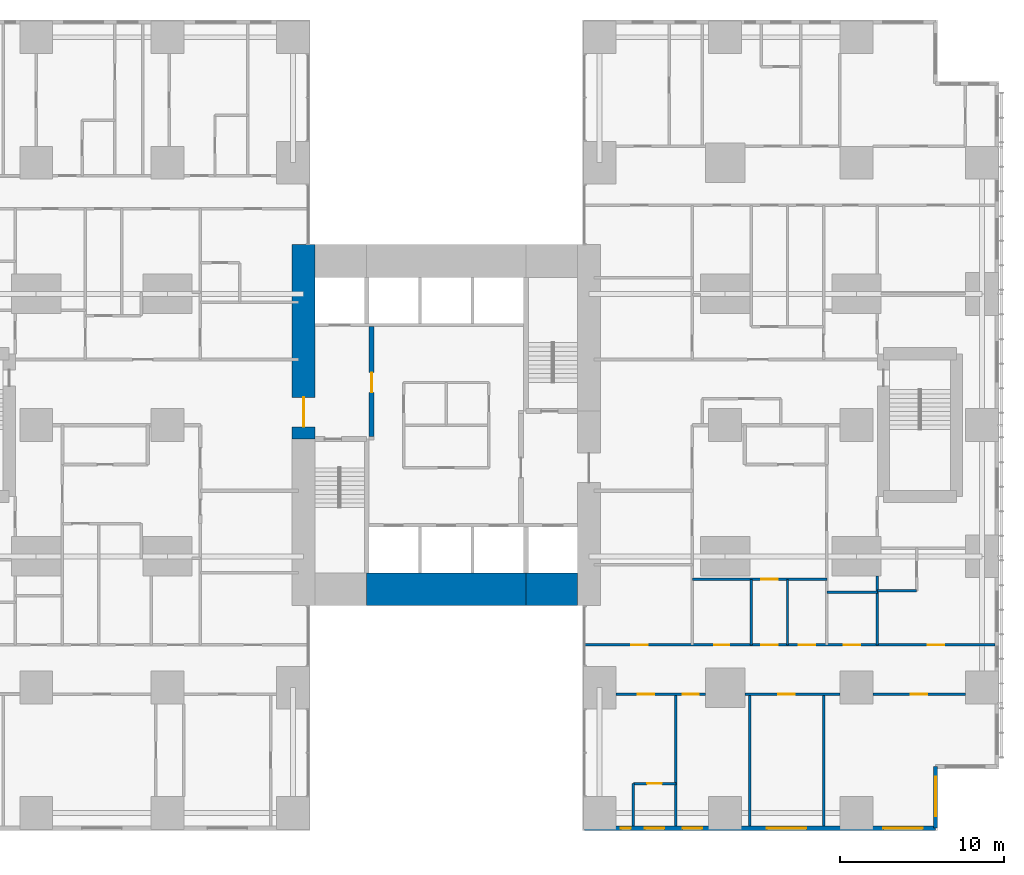
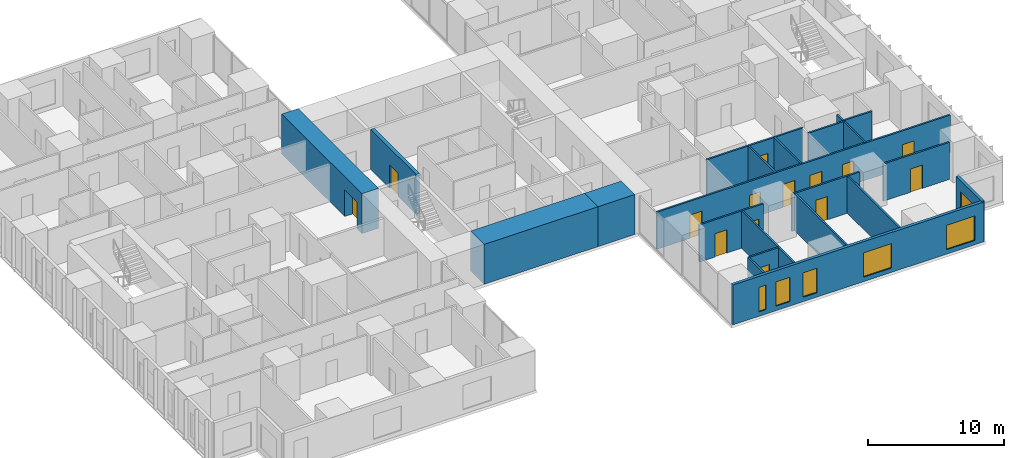
# One storey, part 14 of 20: 21 walls, 14 doors, 6 windows, 20 openings.
"""IFC4 building model written with IfcOpenShell, lengths in metres."""

from ifc_helpers import new_model, si_unit, direction, frame, frame_2d, origin, place, context, subcontext, project, spatial, rectangle, extrude, material, layer, layer_set, type_object, element, fill, save


model = new_model("IFC4")

# Units and contexts
model_context = context("Model", 3, precision=1e-05, world=origin(), true_north=direction((0.0, 1.0)))
body_context = subcontext(model_context, "Body", "Model", "MODEL_VIEW")
ifc_project = project(units=[si_unit("LENGTHUNIT", "METRE"), si_unit("AREAUNIT", "SQUARE_METRE"), si_unit("VOLUMEUNIT", "CUBIC_METRE"), si_unit("PLANEANGLEUNIT", "RADIAN"), si_unit("MASSUNIT", "GRAM", prefix="KILO")], contexts=[model_context])

# Site, building, storey
site_placement = place(None, origin())
site = spatial("IfcSite", under=ifc_project, at=site_placement, CompositionType="ELEMENT")
building_placement = place(site_placement, origin())
building = spatial("IfcBuilding", under=site, at=building_placement, Name="Cleftline Residences", CompositionType="ELEMENT")
storey_placement = place(building_placement, frame((0.0, 0.0, 107.0)))
storey = spatial("IfcBuildingStorey", under=building, at=storey_placement, Name="L27", CompositionType="ELEMENT", Elevation=107.0)

# Wall, opening, door
ifc_material_1 = material(Name="Concrete B70", Category="concrete")
ifc_layer_1 = layer(ifc_material_1, 1.39990234375)
ifc_layer_set_1 = layer_set([ifc_layer_1], Name="CORE WALL 1400")
wall_type_1 = type_object("IfcWallType", Name="CORE WALL 1400", PredefinedType="SHEAR", material=ifc_layer_set_1)
wall_1_placement = place(storey_placement, frame((24.300048828125, 23.14990234375, 0.0), z_axis=(0.0, 0.0, 1.0), x_axis=(0.0, 1.0, 0.0)))
wall_1 = element("IfcWall", 1, at=wall_1_placement, inside=storey, type_object=wall_type_1, Name="Core wall W", PredefinedType="SHEAR", context=body_context, shape_type="SweptSolid", body=[
    extrude(rectangle(XDim=11.85009765625, YDim=1.39990234375, at=frame_2d((5.925048828125, 0.0))), origin(), (0.0, 0.0, 1.0), 3.60009765625),
])
opening_1_placement = place(wall_1_placement, frame((0.75, 0.0, 0.0)))
opening_1 = element("IfcOpeningElement", 2, at=opening_1_placement, cuts=wall_1, Name="Opening D7", PredefinedType="OPENING", context=body_context, shape_type="SweptSolid", body=[
    extrude(rectangle(XDim=1.800048828125, YDim=2.39990234375, at=frame_2d((0.89990234375, 1.199951171875))), frame((0.0, 0.7099609375, 0.0), z_axis=(0.0, -1.0, 0.0), x_axis=(1.0, 0.0, 0.0)), (0.0, 0.0, 1.0), 1.419921875),
])
ifc_material_2 = material(Name="Steel", Category="steel")
door_type_1 = type_object("IfcDoorType", Name="WING DOOR 1800X2400", OperationType="DOUBLE_DOOR_DOUBLE_SWING", PredefinedType="DOOR", material=ifc_material_2)
door_1_placement = place(opening_1_placement, origin())
door_1 = element("IfcDoor", 3, at=door_1_placement, inside=storey, type_object=door_type_1, Name="West wing door", OperationType="DOUBLE_DOOR_DOUBLE_SWING", OverallHeight=2.39990234375, OverallWidth=1.800048828125, PredefinedType="DOOR", context=body_context, shape_type="SweptSolid", body=[
    extrude(rectangle(XDim=1.800048828125, YDim=2.39990234375, at=frame_2d((0.89990234375, 1.199951171875))), frame((0.0, 0.02490234375, 0.0), z_axis=(0.0, -1.0, 0.0), x_axis=(1.0, 0.0, 0.0)), (0.0, 0.0, 1.0), 0.050048828125),
])
fill(opening_1, door_1)

# Walls
ifc_material_3 = material(Name="Concrete B70", Category="concrete")
ifc_layer_2 = layer(ifc_material_3, 2.0)
ifc_layer_set_2 = layer_set([ifc_layer_2], Name="CORE WALL 2000")
wall_type_2 = type_object("IfcWallType", Name="CORE WALL 2000", PredefinedType="SHEAR", material=ifc_layer_set_2)
wall_2_placement = place(storey_placement, frame((28.14990234375, 14.0, 0.0), z_axis=(0.0, 0.0, 1.0), x_axis=(1.0, 0.0, 0.0)))
element("IfcWall", 4, at=wall_2_placement, inside=storey, type_object=wall_type_2, Name="Core wall S2", PredefinedType="SHEAR", context=body_context, shape_type="SweptSolid", body=[
    extrude(rectangle(XDim=9.7001953125, YDim=2.0, at=frame_2d((4.85009765625, 0.0))), origin(), (0.0, 0.0, 1.0), 3.60009765625),
])
wall_3_placement = place(storey_placement, frame((37.85009765625, 14.0, 0.0), z_axis=(0.0, 0.0, 1.0), x_axis=(1.0, 0.0, 0.0)))
element("IfcWall", 5, at=wall_3_placement, inside=storey, type_object=wall_type_2, Name="Core wall S3", PredefinedType="SHEAR", context=body_context, shape_type="SweptSolid", body=[
    extrude(rectangle(XDim=3.14990234375, YDim=2.0, at=frame_2d((1.574951171875, 0.0))), origin(), (0.0, 0.0, 1.0), 3.60009765625),
])

# Wall, openings, windows
ifc_material_4 = material(Name="Rendered reinforced concrete blockwork", Category="masonry")
ifc_layer_3 = layer(ifc_material_4, 0.25)
ifc_layer_set_3 = layer_set([ifc_layer_3], Name="EXTERNAL WALL 250")
wall_type_3 = type_object("IfcWallType", Name="EXTERNAL WALL 250", PredefinedType="SOLIDWALL", material=ifc_layer_set_3)
wall_4_placement = place(storey_placement, frame((41.425048828125, -0.574951171875, 0.0), z_axis=(0.0, 0.0, 1.0), x_axis=(1.0, 0.0, 0.0)))
wall_4 = element("IfcWall", 6, at=wall_4_placement, inside=storey, type_object=wall_type_3, Name="External wall", PredefinedType="SOLIDWALL", context=body_context, shape_type="SweptSolid", body=[
    extrude(rectangle(XDim=21.39990234375, YDim=0.25, at=frame_2d((10.699951171875, 0.0))), origin(), (0.0, 0.0, 1.0), 3.60009765625),
])
opening_2_placement = place(wall_4_placement, frame((2.22509765625, 0.0, 0.39990234375)))
opening_2 = element("IfcOpeningElement", 7, at=opening_2_placement, cuts=wall_4, Name="Opening W10", PredefinedType="OPENING", context=body_context, shape_type="SweptSolid", body=[
    extrude(rectangle(XDim=0.60009765625, YDim=2.199951171875, at=frame_2d((0.300048828125, 1.10009765625))), frame((0.0, 0.135009765625, 0.0), z_axis=(0.0, -1.0, 0.0), x_axis=(1.0, 0.0, 0.0)), (0.0, 0.0, 1.0), 0.27001953125),
])
opening_3_placement = place(wall_4_placement, frame((3.675048828125, 0.0, 0.39990234375)))
opening_3 = element("IfcOpeningElement", 8, at=opening_3_placement, cuts=wall_4, Name="Opening W11", PredefinedType="OPENING", context=body_context, shape_type="SweptSolid", body=[
    extrude(rectangle(XDim=1.199951171875, YDim=2.199951171875, at=frame_2d((0.60009765625, 1.10009765625))), frame((0.0, 0.135009765625, 0.0), z_axis=(0.0, -1.0, 0.0), x_axis=(1.0, 0.0, 0.0)), (0.0, 0.0, 1.0), 0.27001953125),
])
opening_4_placement = place(wall_4_placement, frame((5.97509765625, 0.0, 0.39990234375)))
opening_4 = element("IfcOpeningElement", 9, at=opening_4_placement, cuts=wall_4, Name="Opening W11", PredefinedType="OPENING", context=body_context, shape_type="SweptSolid", body=[
    extrude(rectangle(XDim=1.199951171875, YDim=2.199951171875, at=frame_2d((0.60009765625, 1.10009765625))), frame((0.0, 0.135009765625, 0.0), z_axis=(0.0, -1.0, 0.0), x_axis=(1.0, 0.0, 0.0)), (0.0, 0.0, 1.0), 0.27001953125),
])
opening_5_placement = place(wall_4_placement, frame((11.125, 0.0, 0.39990234375)))
opening_5 = element("IfcOpeningElement", 10, at=opening_5_placement, cuts=wall_4, Name="Opening W12", PredefinedType="OPENING", context=body_context, shape_type="SweptSolid", body=[
    extrude(rectangle(XDim=2.39990234375, YDim=2.199951171875, at=frame_2d((1.199951171875, 1.10009765625))), frame((0.0, 0.135009765625, 0.0), z_axis=(0.0, -1.0, 0.0), x_axis=(1.0, 0.0, 0.0)), (0.0, 0.0, 1.0), 0.27001953125),
])
opening_6_placement = place(wall_4_placement, frame((18.22509765625, 0.0, 0.39990234375)))
opening_6 = element("IfcOpeningElement", 11, at=opening_6_placement, cuts=wall_4, Name="Opening W12", PredefinedType="OPENING", context=body_context, shape_type="SweptSolid", body=[
    extrude(rectangle(XDim=2.39990234375, YDim=2.199951171875, at=frame_2d((1.199951171875, 1.10009765625))), frame((0.0, 0.135009765625, 0.0), z_axis=(0.0, -1.0, 0.0), x_axis=(1.0, 0.0, 0.0)), (0.0, 0.0, 1.0), 0.27001953125),
])
ifc_material_5 = material(Name="Aluminium frame, clear double glazing", Category="aluminium")
window_type_1 = type_object("IfcWindowType", Name="WINDOW 1200X2200", PartitioningType="DOUBLE_PANEL_VERTICAL", PredefinedType="WINDOW", material=ifc_material_5)
window_1_placement = place(opening_3_placement, origin())
window_1 = element("IfcWindow", 12, at=window_1_placement, inside=storey, type_object=window_type_1, Name="Window", OverallHeight=2.199951171875, OverallWidth=1.199951171875, PartitioningType="SINGLE_PANEL", PredefinedType="WINDOW", context=body_context, shape_type="SweptSolid", body=[
    extrude(rectangle(XDim=1.199951171875, YDim=2.199951171875, at=frame_2d((0.60009765625, 1.10009765625))), frame((0.0, 0.030029296875, 0.0), z_axis=(0.0, -1.0, 0.0), x_axis=(1.0, 0.0, 0.0)), (0.0, 0.0, 1.0), 0.06005859375),
])
fill(opening_3, window_1)
window_2_placement = place(opening_4_placement, origin())
window_2 = element("IfcWindow", 13, at=window_2_placement, inside=storey, type_object=window_type_1, Name="Window", OverallHeight=2.199951171875, OverallWidth=1.199951171875, PartitioningType="SINGLE_PANEL", PredefinedType="WINDOW", context=body_context, shape_type="SweptSolid", body=[
    extrude(rectangle(XDim=1.199951171875, YDim=2.199951171875, at=frame_2d((0.60009765625, 1.10009765625))), frame((0.0, 0.030029296875, 0.0), z_axis=(0.0, -1.0, 0.0), x_axis=(1.0, 0.0, 0.0)), (0.0, 0.0, 1.0), 0.06005859375),
])
fill(opening_4, window_2)
ifc_material_6 = material(Name="Aluminium frame, clear double glazing", Category="aluminium")
window_type_2 = type_object("IfcWindowType", Name="WINDOW 2400X2200", PartitioningType="DOUBLE_PANEL_VERTICAL", PredefinedType="WINDOW", material=ifc_material_6)
window_3_placement = place(opening_5_placement, origin())
window_3 = element("IfcWindow", 14, at=window_3_placement, inside=storey, type_object=window_type_2, Name="Window", OverallHeight=2.199951171875, OverallWidth=2.39990234375, PartitioningType="SINGLE_PANEL", PredefinedType="WINDOW", context=body_context, shape_type="SweptSolid", body=[
    extrude(rectangle(XDim=2.39990234375, YDim=2.199951171875, at=frame_2d((1.199951171875, 1.10009765625))), frame((0.0, 0.030029296875, 0.0), z_axis=(0.0, -1.0, 0.0), x_axis=(1.0, 0.0, 0.0)), (0.0, 0.0, 1.0), 0.06005859375),
])
fill(opening_5, window_3)
window_4_placement = place(opening_6_placement, origin())
window_4 = element("IfcWindow", 15, at=window_4_placement, inside=storey, type_object=window_type_2, Name="Window", OverallHeight=2.199951171875, OverallWidth=2.39990234375, PartitioningType="SINGLE_PANEL", PredefinedType="WINDOW", context=body_context, shape_type="SweptSolid", body=[
    extrude(rectangle(XDim=2.39990234375, YDim=2.199951171875, at=frame_2d((1.199951171875, 1.10009765625))), frame((0.0, 0.030029296875, 0.0), z_axis=(0.0, -1.0, 0.0), x_axis=(1.0, 0.0, 0.0)), (0.0, 0.0, 1.0), 0.06005859375),
])
fill(opening_6, window_4)
ifc_material_7 = material(Name="Aluminium frame, clear double glazing", Category="aluminium")
window_type_3 = type_object("IfcWindowType", Name="WINDOW 600X2200", PartitioningType="DOUBLE_PANEL_VERTICAL", PredefinedType="WINDOW", material=ifc_material_7)
window_5_placement = place(opening_2_placement, origin())
window_5 = element("IfcWindow", 16, at=window_5_placement, inside=storey, type_object=window_type_3, Name="Window", OverallHeight=2.199951171875, OverallWidth=0.60009765625, PartitioningType="SINGLE_PANEL", PredefinedType="WINDOW", context=body_context, shape_type="SweptSolid", body=[
    extrude(rectangle(XDim=0.60009765625, YDim=2.199951171875, at=frame_2d((0.300048828125, 1.10009765625))), frame((0.0, 0.030029296875, 0.0), z_axis=(0.0, -1.0, 0.0), x_axis=(1.0, 0.0, 0.0)), (0.0, 0.0, 1.0), 0.06005859375),
])
fill(opening_2, window_5)

# Wall, opening, window
wall_5_placement = place(storey_placement, frame((62.824951171875, -0.574951171875, 0.0), z_axis=(0.0, 0.0, 1.0), x_axis=(0.0, 1.0, 0.0)))
wall_5 = element("IfcWall", 17, at=wall_5_placement, inside=storey, type_object=wall_type_3, Name="External wall", PredefinedType="SOLIDWALL", context=body_context, shape_type="SweptSolid", body=[
    extrude(rectangle(XDim=3.75, YDim=0.25, at=frame_2d((1.875, 0.0))), origin(), (0.0, 0.0, 1.0), 3.60009765625),
])
opening_7_placement = place(wall_5_placement, frame((0.737548828125, 0.0, 0.39990234375)))
opening_7 = element("IfcOpeningElement", 18, at=opening_7_placement, cuts=wall_5, Name="Opening W12", PredefinedType="OPENING", context=body_context, shape_type="SweptSolid", body=[
    extrude(rectangle(XDim=2.39990234375, YDim=2.199951171875, at=frame_2d((1.199951171875, 1.10009765625))), frame((0.0, 0.135009765625, 0.0), z_axis=(0.0, -1.0, 0.0), x_axis=(1.0, 0.0, 0.0)), (0.0, 0.0, 1.0), 0.27001953125),
])
window_6_placement = place(opening_7_placement, origin())
window_6 = element("IfcWindow", 19, at=window_6_placement, inside=storey, type_object=window_type_2, Name="Window", OverallHeight=2.199951171875, OverallWidth=2.39990234375, PartitioningType="SINGLE_PANEL", PredefinedType="WINDOW", context=body_context, shape_type="SweptSolid", body=[
    extrude(rectangle(XDim=2.39990234375, YDim=2.199951171875, at=frame_2d((1.199951171875, 1.10009765625))), frame((0.0, 0.030029296875, 0.0), z_axis=(0.0, -1.0, 0.0), x_axis=(1.0, 0.0, 0.0)), (0.0, 0.0, 1.0), 0.06005859375),
])
fill(opening_7, window_6)

# Wall, opening, door
ifc_material_8 = material(Name="Gypsum board on steel studs", Category="steel")
ifc_layer_4 = layer(ifc_material_8, 0.14990234375)
ifc_layer_set_4 = layer_set([ifc_layer_4], Name="PARTITION 150")
wall_type_4 = type_object("IfcWallType", Name="PARTITION 150", PredefinedType="PARTITIONING", material=ifc_layer_set_4)
wall_6_placement = place(storey_placement, frame((44.39990234375, 2.14990234375, 0.0), z_axis=(0.0, 0.0, 1.0), x_axis=(1.0, 0.0, 0.0)))
wall_6 = element("IfcWall", 20, at=wall_6_placement, inside=storey, type_object=wall_type_4, Name="Partition", PredefinedType="PARTITIONING", context=body_context, shape_type="SweptSolid", body=[
    extrude(rectangle(XDim=2.60009765625, YDim=0.14990234375, at=frame_2d((1.300048828125, 0.0))), origin(), (0.0, 0.0, 1.0), 3.35009765625),
])
opening_8_placement = place(wall_6_placement, frame((0.85009765625, 0.0, 0.0)))
opening_8 = element("IfcOpeningElement", 21, at=opening_8_placement, cuts=wall_6, Name="Opening D1", PredefinedType="OPENING", context=body_context, shape_type="SweptSolid", body=[
    extrude(rectangle(XDim=0.89990234375, YDim=2.10009765625, at=frame_2d((0.449951171875, 1.050048828125))), frame((0.0, 0.0849609375, 0.0), z_axis=(0.0, -1.0, 0.0), x_axis=(1.0, 0.0, 0.0)), (0.0, 0.0, 1.0), 0.169921875),
])
ifc_material_9 = material(Name="Timber veneer on solid core", Category="wood")
door_type_2 = type_object("IfcDoorType", Name="DOOR 900X2100", OperationType="SINGLE_SWING_LEFT", PredefinedType="DOOR", material=ifc_material_9)
door_2_placement = place(opening_8_placement, origin())
door_2 = element("IfcDoor", 22, at=door_2_placement, inside=storey, type_object=door_type_2, Name="Door to en-suite bathroom 3", OperationType="SINGLE_SWING_LEFT", OverallHeight=2.10009765625, OverallWidth=0.89990234375, PredefinedType="DOOR", context=body_context, shape_type="SweptSolid", body=[
    extrude(rectangle(XDim=0.89990234375, YDim=2.10009765625, at=frame_2d((0.449951171875, 1.050048828125))), frame((0.0, 0.02490234375, 0.0), z_axis=(0.0, -1.0, 0.0), x_axis=(1.0, 0.0, 0.0)), (0.0, 0.0, 1.0), 0.050048828125),
])
fill(opening_8, door_2)

# Wall, openings, doors
wall_7_placement = place(storey_placement, frame((43.35009765625, 7.60009765625, 0.0), z_axis=(0.0, 0.0, 1.0), x_axis=(1.0, 0.0, 0.0)))
wall_7 = element("IfcWall", 23, at=wall_7_placement, inside=storey, type_object=wall_type_4, Name="Partition", PredefinedType="PARTITIONING", context=body_context, shape_type="SweptSolid", body=[
    extrude(rectangle(XDim=5.449951171875, YDim=0.14990234375, at=frame_2d((2.72509765625, 0.0))), origin(), (0.0, 0.0, 1.0), 3.35009765625),
])
opening_9_placement = place(wall_7_placement, frame((4.050048828125, 0.0, 0.0)))
opening_9 = element("IfcOpeningElement", 24, at=opening_9_placement, cuts=wall_7, Name="Opening D2", PredefinedType="OPENING", context=body_context, shape_type="SweptSolid", body=[
    extrude(rectangle(XDim=1.0, YDim=2.10009765625, at=frame_2d((0.5, 1.050048828125))), frame((0.0, 0.0849609375, 0.0), z_axis=(0.0, -1.0, 0.0), x_axis=(1.0, 0.0, 0.0)), (0.0, 0.0, 1.0), 0.169921875),
])
opening_10_placement = place(wall_7_placement, frame((1.324951171875, 0.0, 0.0)))
opening_10 = element("IfcOpeningElement", 25, at=opening_10_placement, cuts=wall_7, Name="Opening D2", PredefinedType="OPENING", context=body_context, shape_type="SweptSolid", body=[
    extrude(rectangle(XDim=1.0, YDim=2.10009765625, at=frame_2d((0.5, 1.050048828125))), frame((0.0, 0.0849609375, 0.0), z_axis=(0.0, -1.0, 0.0), x_axis=(1.0, 0.0, 0.0)), (0.0, 0.0, 1.0), 0.169921875),
])
ifc_material_10 = material(Name="Timber veneer on solid core", Category="wood")
door_type_3 = type_object("IfcDoorType", Name="DOOR 1000X2100", OperationType="SINGLE_SWING_LEFT", PredefinedType="DOOR", material=ifc_material_10)
door_3_placement = place(opening_9_placement, origin())
door_3 = element("IfcDoor", 26, at=door_3_placement, inside=storey, type_object=door_type_3, Name="Door to show kitchen", OperationType="SINGLE_SWING_LEFT", OverallHeight=2.10009765625, OverallWidth=1.0, PredefinedType="DOOR", context=body_context, shape_type="SweptSolid", body=[
    extrude(rectangle(XDim=1.0, YDim=2.10009765625, at=frame_2d((0.5, 1.050048828125))), frame((0.0, 0.02490234375, 0.0), z_axis=(0.0, -1.0, 0.0), x_axis=(1.0, 0.0, 0.0)), (0.0, 0.0, 1.0), 0.050048828125),
])
fill(opening_9, door_3)
door_4_placement = place(opening_10_placement, origin())
door_4 = element("IfcDoor", 27, at=door_4_placement, inside=storey, type_object=door_type_3, Name="Door to bedroom 3", OperationType="SINGLE_SWING_RIGHT", OverallHeight=2.10009765625, OverallWidth=1.0, PredefinedType="DOOR", context=body_context, shape_type="SweptSolid", body=[
    extrude(rectangle(XDim=1.0, YDim=2.10009765625, at=frame_2d((0.5, 1.050048828125))), frame((0.0, 0.02490234375, 0.0), z_axis=(0.0, -1.0, 0.0), x_axis=(1.0, 0.0, 0.0)), (0.0, 0.0, 1.0), 0.050048828125),
])
fill(opening_10, door_4)

# Wall, opening, door
wall_8_placement = place(storey_placement, frame((51.199951171875, 7.60009765625, 0.0), z_axis=(0.0, 0.0, 1.0), x_axis=(1.0, 0.0, 0.0)))
wall_8 = element("IfcWall", 28, at=wall_8_placement, inside=storey, type_object=wall_type_4, Name="Partition", PredefinedType="PARTITIONING", context=body_context, shape_type="SweptSolid", body=[
    extrude(rectangle(XDim=5.800048828125, YDim=0.14990234375, at=frame_2d((2.89990234375, 0.0))), origin(), (0.0, 0.0, 1.0), 3.35009765625),
])
opening_11_placement = place(wall_8_placement, frame((2.050048828125, 0.0, 0.0)))
opening_11 = element("IfcOpeningElement", 29, at=opening_11_placement, cuts=wall_8, Name="Opening D2", PredefinedType="OPENING", context=body_context, shape_type="SweptSolid", body=[
    extrude(rectangle(XDim=1.0, YDim=2.10009765625, at=frame_2d((0.5, 1.050048828125))), frame((0.0, 0.0849609375, 0.0), z_axis=(0.0, -1.0, 0.0), x_axis=(1.0, 0.0, 0.0)), (0.0, 0.0, 1.0), 0.169921875),
])
door_5_placement = place(opening_11_placement, origin())
door_5 = element("IfcDoor", 30, at=door_5_placement, inside=storey, type_object=door_type_3, Name="Door to dining room", OperationType="SINGLE_SWING_RIGHT", OverallHeight=2.10009765625, OverallWidth=1.0, PredefinedType="DOOR", context=body_context, shape_type="SweptSolid", body=[
    extrude(rectangle(XDim=1.0, YDim=2.10009765625, at=frame_2d((0.5, 1.050048828125))), frame((0.0, 0.02490234375, 0.0), z_axis=(0.0, -1.0, 0.0), x_axis=(1.0, 0.0, 0.0)), (0.0, 0.0, 1.0), 0.050048828125),
])
fill(opening_11, door_5)

wall_9_placement = place(storey_placement, frame((59.0, 7.60009765625, 0.0), z_axis=(0.0, 0.0, 1.0), x_axis=(1.0, 0.0, 0.0)))
wall_9 = element("IfcWall", 31, at=wall_9_placement, inside=storey, type_object=wall_type_4, Name="Partition", PredefinedType="PARTITIONING", context=body_context, shape_type="SweptSolid", body=[
    extrude(rectangle(XDim=5.64990234375, YDim=0.14990234375, at=frame_2d((2.824951171875, 0.0))), origin(), (0.0, 0.0, 1.0), 3.35009765625),
])
opening_12_placement = place(wall_9_placement, frame((2.324951171875, 0.0, 0.0)))
opening_12 = element("IfcOpeningElement", 32, at=opening_12_placement, cuts=wall_9, Name="Opening D2", PredefinedType="OPENING", context=body_context, shape_type="SweptSolid", body=[
    extrude(rectangle(XDim=1.0, YDim=2.10009765625, at=frame_2d((0.5, 1.050048828125))), frame((0.0, 0.0849609375, 0.0), z_axis=(0.0, -1.0, 0.0), x_axis=(1.0, 0.0, 0.0)), (0.0, 0.0, 1.0), 0.169921875),
])
door_6_placement = place(opening_12_placement, origin())
door_6 = element("IfcDoor", 33, at=door_6_placement, inside=storey, type_object=door_type_3, Name="Door to sea-view lounge", OperationType="SINGLE_SWING_LEFT", OverallHeight=2.10009765625, OverallWidth=1.0, PredefinedType="DOOR", context=body_context, shape_type="SweptSolid", body=[
    extrude(rectangle(XDim=1.0, YDim=2.10009765625, at=frame_2d((0.5, 1.050048828125))), frame((0.0, 0.02490234375, 0.0), z_axis=(0.0, -1.0, 0.0), x_axis=(1.0, 0.0, 0.0)), (0.0, 0.0, 1.0), 0.050048828125),
])
fill(opening_12, door_6)

# Wall, openings, doors
wall_10_placement = place(storey_placement, frame((41.43896484375, 10.60009765625, 0.0), z_axis=(0.0, 0.0, 1.0), x_axis=(1.0, 0.0, 0.0)))
wall_10 = element("IfcWall", 34, at=wall_10_placement, inside=storey, type_object=wall_type_4, Name="Partition", PredefinedType="PARTITIONING", context=body_context, shape_type="SweptSolid", body=[
    extrude(rectangle(XDim=25.010986328125, YDim=0.14990234375, at=frame_2d((12.50537109375, 0.0))), origin(), (0.0, 0.0, 1.0), 3.35009765625),
])
opening_13_placement = place(wall_10_placement, frame((10.760986328125, 0.0, 0.0)))
opening_13 = element("IfcOpeningElement", 35, at=opening_13_placement, cuts=wall_10, Name="Opening D2", PredefinedType="OPENING", context=body_context, shape_type="SweptSolid", body=[
    extrude(rectangle(XDim=1.0, YDim=2.10009765625, at=frame_2d((0.5, 1.050048828125))), frame((0.0, 0.0849609375, 0.0), z_axis=(0.0, -1.0, 0.0), x_axis=(1.0, 0.0, 0.0)), (0.0, 0.0, 1.0), 0.169921875),
])
opening_14_placement = place(wall_10_placement, frame((20.923583984375, 0.0, 0.0)))
opening_14 = element("IfcOpeningElement", 36, at=opening_14_placement, cuts=wall_10, Name="Opening D2", PredefinedType="OPENING", context=body_context, shape_type="SweptSolid", body=[
    extrude(rectangle(XDim=1.0, YDim=2.10009765625, at=frame_2d((0.5, 1.050048828125))), frame((0.0, 0.0849609375, 0.0), z_axis=(0.0, -1.0, 0.0), x_axis=(1.0, 0.0, 0.0)), (0.0, 0.0, 1.0), 0.169921875),
])
opening_15_placement = place(wall_10_placement, frame((15.798583984375, 0.0, 0.0)))
opening_15 = element("IfcOpeningElement", 37, at=opening_15_placement, cuts=wall_10, Name="Opening D2", PredefinedType="OPENING", context=body_context, shape_type="SweptSolid", body=[
    extrude(rectangle(XDim=1.0, YDim=2.10009765625, at=frame_2d((0.5, 1.050048828125))), frame((0.0, 0.0849609375, 0.0), z_axis=(0.0, -1.0, 0.0), x_axis=(1.0, 0.0, 0.0)), (0.0, 0.0, 1.0), 0.169921875),
])
opening_16_placement = place(wall_10_placement, frame((13.06103515625, 0.0, 0.0)))
opening_16 = element("IfcOpeningElement", 38, at=opening_16_placement, cuts=wall_10, Name="Opening D2", PredefinedType="OPENING", context=body_context, shape_type="SweptSolid", body=[
    extrude(rectangle(XDim=1.0, YDim=2.10009765625, at=frame_2d((0.5, 1.050048828125))), frame((0.0, 0.0849609375, 0.0), z_axis=(0.0, -1.0, 0.0), x_axis=(1.0, 0.0, 0.0)), (0.0, 0.0, 1.0), 0.169921875),
])
opening_17_placement = place(wall_10_placement, frame((7.910888671875, 0.0, 0.0)))
opening_17 = element("IfcOpeningElement", 39, at=opening_17_placement, cuts=wall_10, Name="Opening D1", PredefinedType="OPENING", context=body_context, shape_type="SweptSolid", body=[
    extrude(rectangle(XDim=0.89990234375, YDim=2.10009765625, at=frame_2d((0.449951171875, 1.050048828125))), frame((0.0, 0.0849609375, 0.0), z_axis=(0.0, -1.0, 0.0), x_axis=(1.0, 0.0, 0.0)), (0.0, 0.0, 1.0), 0.169921875),
])
opening_18_placement = place(wall_10_placement, frame((2.8359375, 0.0, 0.0)))
opening_18 = element("IfcOpeningElement", 40, at=opening_18_placement, cuts=wall_10, Name="Opening D2", PredefinedType="OPENING", context=body_context, shape_type="SweptSolid", body=[
    extrude(rectangle(XDim=1.0, YDim=2.10009765625, at=frame_2d((0.5, 1.050048828125))), frame((0.0, 0.0849609375, 0.0), z_axis=(0.0, -1.0, 0.0), x_axis=(1.0, 0.0, 0.0)), (0.0, 0.0, 1.0), 0.169921875),
])
door_7_placement = place(opening_13_placement, origin())
door_7 = element("IfcDoor", 41, at=door_7_placement, inside=storey, type_object=door_type_3, Name="Door to residence hall", OperationType="SINGLE_SWING_RIGHT", OverallHeight=2.10009765625, OverallWidth=1.0, PredefinedType="DOOR", context=body_context, shape_type="SweptSolid", body=[
    extrude(rectangle(XDim=1.0, YDim=2.10009765625, at=frame_2d((0.5, 1.050048828125))), frame((0.0, 0.02490234375, 0.0), z_axis=(0.0, -1.0, 0.0), x_axis=(1.0, 0.0, 0.0)), (0.0, 0.0, 1.0), 0.050048828125),
])
fill(opening_13, door_7)
door_8_placement = place(opening_14_placement, origin())
door_8 = element("IfcDoor", 42, at=door_8_placement, inside=storey, type_object=door_type_3, Name="Door to master bedroom", OperationType="SINGLE_SWING_LEFT", OverallHeight=2.10009765625, OverallWidth=1.0, PredefinedType="DOOR", context=body_context, shape_type="SweptSolid", body=[
    extrude(rectangle(XDim=1.0, YDim=2.10009765625, at=frame_2d((0.5, 1.050048828125))), frame((0.0, 0.02490234375, 0.0), z_axis=(0.0, -1.0, 0.0), x_axis=(1.0, 0.0, 0.0)), (0.0, 0.0, 1.0), 0.050048828125),
])
fill(opening_14, door_8)
door_9_placement = place(opening_15_placement, origin())
door_9 = element("IfcDoor", 43, at=door_9_placement, inside=storey, type_object=door_type_3, Name="Door to wet kitchen", OperationType="SINGLE_SWING_LEFT", OverallHeight=2.10009765625, OverallWidth=1.0, PredefinedType="DOOR", context=body_context, shape_type="SweptSolid", body=[
    extrude(rectangle(XDim=1.0, YDim=2.10009765625, at=frame_2d((0.5, 1.050048828125))), frame((0.0, 0.02490234375, 0.0), z_axis=(0.0, -1.0, 0.0), x_axis=(1.0, 0.0, 0.0)), (0.0, 0.0, 1.0), 0.050048828125),
])
fill(opening_15, door_9)
door_10_placement = place(opening_16_placement, origin())
door_10 = element("IfcDoor", 44, at=door_10_placement, inside=storey, type_object=door_type_3, Name="Door to media room", OperationType="SINGLE_SWING_LEFT", OverallHeight=2.10009765625, OverallWidth=1.0, PredefinedType="DOOR", context=body_context, shape_type="SweptSolid", body=[
    extrude(rectangle(XDim=1.0, YDim=2.10009765625, at=frame_2d((0.5, 1.050048828125))), frame((0.0, 0.02490234375, 0.0), z_axis=(0.0, -1.0, 0.0), x_axis=(1.0, 0.0, 0.0)), (0.0, 0.0, 1.0), 0.050048828125),
])
fill(opening_16, door_10)
door_11_placement = place(opening_18_placement, origin())
door_11 = element("IfcDoor", 45, at=door_11_placement, inside=storey, type_object=door_type_3, Name="Door to study", OperationType="SINGLE_SWING_RIGHT", OverallHeight=2.10009765625, OverallWidth=1.0, PredefinedType="DOOR", context=body_context, shape_type="SweptSolid", body=[
    extrude(rectangle(XDim=1.0, YDim=2.10009765625, at=frame_2d((0.5, 1.050048828125))), frame((0.0, 0.02490234375, 0.0), z_axis=(0.0, -1.0, 0.0), x_axis=(1.0, 0.0, 0.0)), (0.0, 0.0, 1.0), 0.050048828125),
])
fill(opening_18, door_11)
door_12_placement = place(opening_17_placement, origin())
door_12 = element("IfcDoor", 46, at=door_12_placement, inside=storey, type_object=door_type_2, Name="Door to bedroom 2 bathroom", OperationType="SINGLE_SWING_RIGHT", OverallHeight=2.10009765625, OverallWidth=0.89990234375, PredefinedType="DOOR", context=body_context, shape_type="SweptSolid", body=[
    extrude(rectangle(XDim=0.89990234375, YDim=2.10009765625, at=frame_2d((0.449951171875, 1.050048828125))), frame((0.0, 0.02490234375, 0.0), z_axis=(0.0, -1.0, 0.0), x_axis=(1.0, 0.0, 0.0)), (0.0, 0.0, 1.0), 0.050048828125),
])
fill(opening_17, door_12)

# Walls
wall_11_placement = place(storey_placement, frame((56.199951171875, 13.800048828125, 0.0), z_axis=(0.0, 0.0, 1.0), x_axis=(1.0, 0.0, 0.0)))
element("IfcWall", 47, at=wall_11_placement, inside=storey, type_object=wall_type_4, Name="Partition", PredefinedType="PARTITIONING", context=body_context, shape_type="SweptSolid", body=[
    extrude(rectangle(XDim=3.074951171875, YDim=0.14990234375, at=frame_2d((1.53759765625, 0.0))), origin(), (0.0, 0.0, 1.0), 3.35009765625),
])
wall_12_placement = place(storey_placement, frame((59.27490234375, 13.89990234375, 0.0), z_axis=(0.0, 0.0, 1.0), x_axis=(1.0, 0.0, 0.0)))
element("IfcWall", 48, at=wall_12_placement, inside=storey, type_object=wall_type_4, Name="Partition", PredefinedType="PARTITIONING", context=body_context, shape_type="SweptSolid", body=[
    extrude(rectangle(XDim=2.400146484375, YDim=0.14990234375, at=frame_2d((1.2001953125, 0.0))), origin(), (0.0, 0.0, 1.0), 3.35009765625),
])

# Wall, opening, door
wall_13_placement = place(storey_placement, frame((48.0, 14.60009765625, 0.0), z_axis=(0.0, 0.0, 1.0), x_axis=(1.0, 0.0, 0.0)))
wall_13 = element("IfcWall", 49, at=wall_13_placement, inside=storey, type_object=wall_type_4, Name="Partition", PredefinedType="PARTITIONING", context=body_context, shape_type="SweptSolid", body=[
    extrude(rectangle(XDim=8.199951171875, YDim=0.14990234375, at=frame_2d((4.10009765625, 0.0))), origin(), (0.0, 0.0, 1.0), 3.35009765625),
])
opening_19_placement = place(wall_13_placement, frame((4.199951171875, 0.0, 0.0)))
opening_19 = element("IfcOpeningElement", 50, at=opening_19_placement, cuts=wall_13, Name="Opening D2", PredefinedType="OPENING", context=body_context, shape_type="SweptSolid", body=[
    extrude(rectangle(XDim=1.0, YDim=2.10009765625, at=frame_2d((0.5, 1.050048828125))), frame((0.0, 0.0849609375, 0.0), z_axis=(0.0, -1.0, 0.0), x_axis=(1.0, 0.0, 0.0)), (0.0, 0.0, 1.0), 0.169921875),
])
door_13_placement = place(opening_19_placement, origin())
door_13 = element("IfcDoor", 51, at=door_13_placement, inside=storey, type_object=door_type_3, Name="Door to residence passage", OperationType="SINGLE_SWING_LEFT", OverallHeight=2.10009765625, OverallWidth=1.0, PredefinedType="DOOR", context=body_context, shape_type="SweptSolid", body=[
    extrude(rectangle(XDim=1.0, YDim=2.10009765625, at=frame_2d((0.5, 1.050048828125))), frame((0.0, 0.02490234375, 0.0), z_axis=(0.0, -1.0, 0.0), x_axis=(1.0, 0.0, 0.0)), (0.0, 0.0, 1.0), 0.050048828125),
])
fill(opening_19, door_13)

# Walls
wall_14_placement = place(storey_placement, frame((44.39990234375, -0.449951171875, 0.0), z_axis=(0.0, 0.0, 1.0), x_axis=(0.0, 1.0, 0.0)))
element("IfcWall", 52, at=wall_14_placement, inside=storey, type_object=wall_type_4, Name="Partition", PredefinedType="PARTITIONING", context=body_context, shape_type="SweptSolid", body=[
    extrude(rectangle(XDim=2.599853515625, YDim=0.14990234375, at=frame_2d((1.2998046875, 0.0))), origin(), (0.0, 0.0, 1.0), 3.35009765625),
])
for number, where, z_axis, x_axis, name in (
    (53, (47.0, -0.449951171875, 0.0), (0.0, 0.0, 1.0), (0.0, 1.0, 0.0), "Partition"),
    (54, (51.5, -0.449951171875, 0.0), (0.0, 0.0, 1.0), (0.0, 1.0, 0.0), "Partition"),
):
    element("IfcWall", number, at=place(storey_placement, frame(where, z_axis=z_axis, x_axis=x_axis)), inside=storey, type_object=wall_type_4, Name=name, PredefinedType="PARTITIONING", context=body_context, shape_type="SweptSolid", body=[
        extrude(rectangle(XDim=8.050048828125, YDim=0.14990234375, at=frame_2d((4.02490234375, 0.0))), origin(), (0.0, 0.0, 1.0), 3.35009765625),
    ])
for number, where, z_axis, x_axis, name in (
    (55, (51.60009765625, 10.60009765625, 0.0), (0.0, 0.0, 1.0), (0.0, 1.0, 0.0), "Partition"),
    (56, (53.800048828125, 10.60009765625, 0.0), (0.0, 0.0, 1.0), (0.0, 1.0, 0.0), "Partition"),
):
    element("IfcWall", number, at=place(storey_placement, frame(where, z_axis=z_axis, x_axis=x_axis)), inside=storey, type_object=wall_type_4, Name=name, PredefinedType="PARTITIONING", context=body_context, shape_type="SweptSolid", body=[
        extrude(rectangle(XDim=4.0, YDim=0.14990234375, at=frame_2d((2.0, 0.0))), origin(), (0.0, 0.0, 1.0), 3.35009765625),
    ])
wall_15_placement = place(storey_placement, frame((56.0, -0.449951171875, 0.0), z_axis=(0.0, 0.0, 1.0), x_axis=(0.0, 1.0, 0.0)))
element("IfcWall", 57, at=wall_15_placement, inside=storey, type_object=wall_type_4, Name="Partition", PredefinedType="PARTITIONING", context=body_context, shape_type="SweptSolid", body=[
    extrude(rectangle(XDim=8.050048828125, YDim=0.14990234375, at=frame_2d((4.02490234375, 0.0))), origin(), (0.0, 0.0, 1.0), 3.35009765625),
])
wall_16_placement = place(storey_placement, frame((59.27490234375, 10.60009765625, 0.0), z_axis=(0.0, 0.0, 1.0), x_axis=(0.0, 1.0, 0.0)))
element("IfcWall", 58, at=wall_16_placement, inside=storey, type_object=wall_type_4, Name="Partition", PredefinedType="PARTITIONING", context=body_context, shape_type="SweptSolid", body=[
    extrude(rectangle(XDim=4.199951171875, YDim=0.14990234375, at=frame_2d((2.10009765625, 0.0))), origin(), (0.0, 0.0, 1.0), 3.35009765625),
])

# Wall, opening, door
ifc_material_11 = material(Name="Concrete blockwork, fire rated", Category="masonry")
ifc_layer_5 = layer(ifc_material_11, 0.300048828125)
ifc_layer_set_5 = layer_set([ifc_layer_5], Name="STAIR LOBBY WALL 300")
wall_type_5 = type_object("IfcWallType", Name="STAIR LOBBY WALL 300", PredefinedType="PARTITIONING", material=ifc_layer_set_5)
wall_17_placement = place(storey_placement, frame((28.449951171875, 23.300048828125, 0.0), z_axis=(0.0, 0.0, 1.0), x_axis=(0.0, 1.0, 0.0)))
wall_17 = element("IfcWall", 59, at=wall_17_placement, inside=storey, type_object=wall_type_5, Name="Stair and lobby wall FA-E", PredefinedType="PARTITIONING", context=body_context, shape_type="SweptSolid", body=[
    extrude(rectangle(XDim=6.699951171875, YDim=0.300048828125, at=frame_2d((3.35009765625, 0.0))), origin(), (0.0, 0.0, 1.0), 3.60009765625),
])
opening_20_placement = place(wall_17_placement, frame((2.699951171875, 0.0, 0.0)))
opening_20 = element("IfcOpeningElement", 60, at=opening_20_placement, cuts=wall_17, Name="Opening D6", PredefinedType="OPENING", context=body_context, shape_type="SweptSolid", body=[
    extrude(rectangle(XDim=1.199951171875, YDim=2.10009765625, at=frame_2d((0.60009765625, 1.050048828125))), frame((0.0, 0.159912109375, 0.0), z_axis=(0.0, -1.0, 0.0), x_axis=(1.0, 0.0, 0.0)), (0.0, 0.0, 1.0), 0.320068359375),
])
ifc_material_12 = material(Name="Steel", Category="steel")
door_type_4 = type_object("IfcDoorType", Name="LOBBY DOOR 1200X2100", OperationType="SINGLE_SWING_RIGHT", PredefinedType="DOOR", material=ifc_material_12)
door_14_placement = place(opening_20_placement, origin())
door_14 = element("IfcDoor", 61, at=door_14_placement, inside=storey, type_object=door_type_4, Name="Firefighting lobby A door", OperationType="SINGLE_SWING_RIGHT", OverallHeight=2.10009765625, OverallWidth=1.199951171875, PredefinedType="DOOR", context=body_context, shape_type="SweptSolid", body=[
    extrude(rectangle(XDim=1.199951171875, YDim=2.10009765625, at=frame_2d((0.60009765625, 1.050048828125))), frame((0.0, 0.02490234375, 0.0), z_axis=(0.0, -1.0, 0.0), x_axis=(1.0, 0.0, 0.0)), (0.0, 0.0, 1.0), 0.050048828125),
])
fill(opening_20, door_14)

save(model, "model.ifc")
